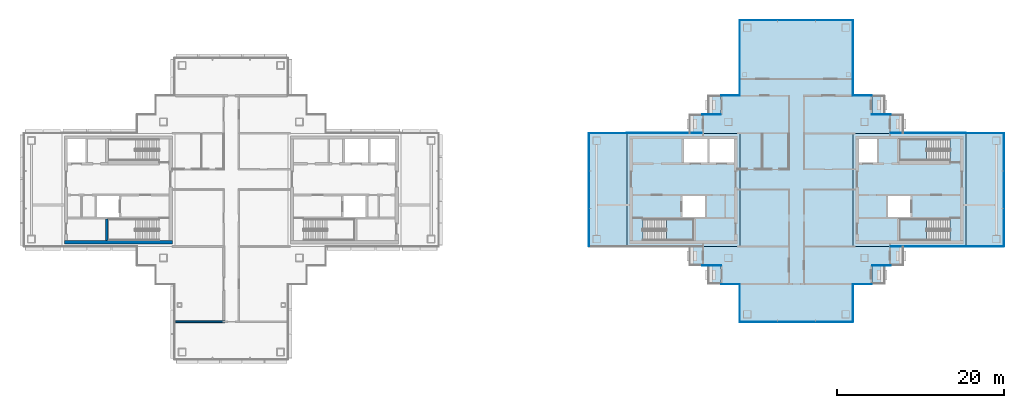
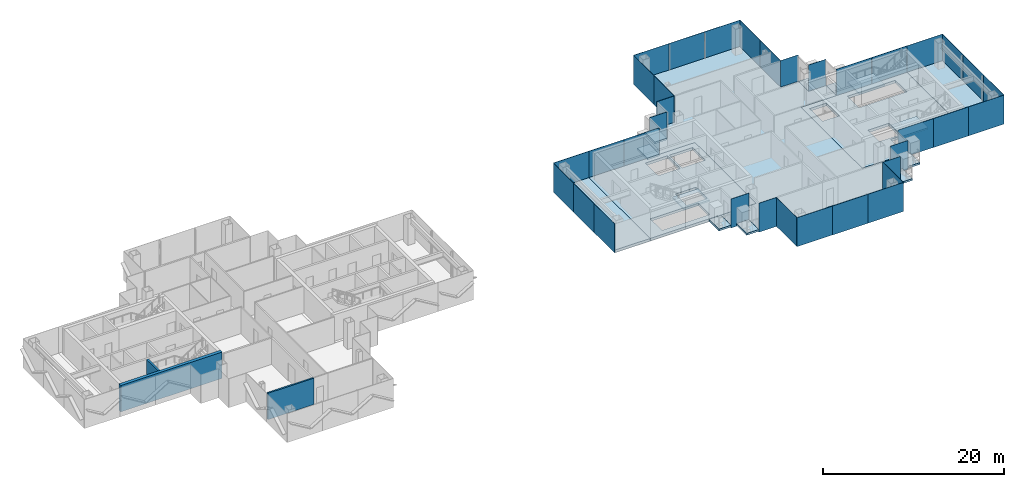
# One storey, part 8 of 17: 35 plates, 16 slabs, 3 walls, 21 elements without a shape of their own.
"""IFC4 building model written with IfcOpenShell, lengths in metres."""

from ifc_helpers import new_model, si_unit, direction, frame, frame_2d, origin, origin_2d, place, context, subcontext, project, spatial, polyline, rectangle, outline, extrude, material, layer, layer_set, type_object, element, aggregate, save


model = new_model("IFC4")

# Units and contexts
model_context = context("Model", 3, precision=1e-05, world=origin(), true_north=direction((0.0, 1.0)))
body_context = subcontext(model_context, "Body", "Model", "MODEL_VIEW")
ifc_project = project(units=[si_unit("LENGTHUNIT", "METRE"), si_unit("AREAUNIT", "SQUARE_METRE"), si_unit("VOLUMEUNIT", "CUBIC_METRE"), si_unit("PLANEANGLEUNIT", "RADIAN"), si_unit("MASSUNIT", "GRAM", prefix="KILO")], contexts=[model_context])

# Site, building, storey
site_placement = place(None, origin())
site = spatial("IfcSite", under=ifc_project, at=site_placement, CompositionType="ELEMENT")
building_placement = place(site_placement, origin())
building = spatial("IfcBuilding", under=site, at=building_placement, Name="Shamsa Quay Exchange Towers", CompositionType="ELEMENT")
storey_placement = place(building_placement, frame((0.0, 0.0, 234.300048828125)))
storey = spatial("IfcBuildingStorey", under=building, at=storey_placement, Name="L56", CompositionType="ELEMENT", Elevation=234.300048828125)

# Slabs
ifc_material_1 = material(Name="Precast concrete C40/50", Category="concrete")
ifc_layer_1 = layer(ifc_material_1, 0.25)
ifc_layer_set_1 = layer_set([ifc_layer_1], Name="BALCONY SLAB 250")
slab_type_1 = type_object("IfcSlabType", Name="BALCONY SLAB 250", PredefinedType="FLOOR", material=ifc_layer_set_1)
slab_1_placement = place(storey_placement, frame((0.0, 0.0, -0.25)))
element("IfcSlab", 1, at=slab_1_placement, inside=storey, type_object=slab_type_1, Name="Balcony T2-PKEN L56", PredefinedType="FLOOR", context=body_context, shape_type="SweptSolid", body=[
    extrude(outline(polyline([(24.75, 11.25), (24.75, 9.0380859375), (23.199951171875, 9.0380859375), (23.199951171875, 11.25), (24.75, 11.25)])), origin(), (0.0, 0.0, 1.0), 0.25),
])
slab_2_placement = place(storey_placement, frame((0.0, 0.0, -0.25)))
element("IfcSlab", 2, at=slab_2_placement, inside=storey, type_object=slab_type_1, Name="Balcony T2-PKEN L56", PredefinedType="FLOOR", context=body_context, shape_type="SweptSolid", body=[
    extrude(outline(polyline([(22.5, 9.0), (22.5, 6.7880859375), (20.949951171875, 6.7880859375), (20.949951171875, 9.0), (22.5, 9.0)])), origin(), (0.0, 0.0, 1.0), 0.25),
])
slab_3_placement = place(storey_placement, frame((0.0, 0.0, -0.25)))
element("IfcSlab", 3, at=slab_3_placement, inside=storey, type_object=slab_type_1, Name="Balcony T2-PKES L56", PredefinedType="FLOOR", context=body_context, shape_type="SweptSolid", body=[
    extrude(outline(polyline([(42.75, 9.0380859375), (42.75, 11.25), (44.300048828125, 11.25), (44.300048828125, 9.0380859375), (42.75, 9.0380859375)])), origin(), (0.0, 0.0, 1.0), 0.25),
])
slab_4_placement = place(storey_placement, frame((0.0, 0.0, -0.25)))
element("IfcSlab", 4, at=slab_4_placement, inside=storey, type_object=slab_type_1, Name="Balcony T2-PKES L56", PredefinedType="FLOOR", context=body_context, shape_type="SweptSolid", body=[
    extrude(outline(polyline([(45.0, 6.7880859375), (45.0, 9.0), (46.550048828125, 9.0), (46.550048828125, 6.7880859375), (45.0, 6.7880859375)])), origin(), (0.0, 0.0, 1.0), 0.25),
])
slab_5_placement = place(storey_placement, frame((0.0, 0.0, -0.25)))
element("IfcSlab", 5, at=slab_5_placement, inside=storey, type_object=slab_type_1, Name="Balcony T2-PKWN L56", PredefinedType="FLOOR", context=body_context, shape_type="SweptSolid", body=[
    extrude(outline(polyline([(22.5, -6.7880859375), (22.5, -9.0), (20.949951171875, -9.0), (20.949951171875, -6.7880859375), (22.5, -6.7880859375)])), origin(), (0.0, 0.0, 1.0), 0.25),
])
slab_6_placement = place(storey_placement, frame((0.0, 0.0, -0.25)))
element("IfcSlab", 6, at=slab_6_placement, inside=storey, type_object=slab_type_1, Name="Balcony T2-PKWN L56", PredefinedType="FLOOR", context=body_context, shape_type="SweptSolid", body=[
    extrude(outline(polyline([(24.75, -9.0380859375), (24.75, -11.25), (23.199951171875, -11.25), (23.199951171875, -9.0380859375), (24.75, -9.0380859375)])), origin(), (0.0, 0.0, 1.0), 0.25),
])
slab_7_placement = place(storey_placement, frame((0.0, 0.0, -0.25)))
element("IfcSlab", 7, at=slab_7_placement, inside=storey, type_object=slab_type_1, Name="Balcony T2-PKWS L56", PredefinedType="FLOOR", context=body_context, shape_type="SweptSolid", body=[
    extrude(outline(polyline([(42.75, -11.25), (42.75, -9.0380859375), (44.300048828125, -9.0380859375), (44.300048828125, -11.25), (42.75, -11.25)])), origin(), (0.0, 0.0, 1.0), 0.25),
])
slab_8_placement = place(storey_placement, frame((0.0, 0.0, -0.25)))
element("IfcSlab", 8, at=slab_8_placement, inside=storey, type_object=slab_type_1, Name="Balcony T2-PKWS L56", PredefinedType="FLOOR", context=body_context, shape_type="SweptSolid", body=[
    extrude(outline(polyline([(45.0, -9.0), (45.0, -6.7880859375), (46.550048828125, -6.7880859375), (46.550048828125, -9.0), (45.0, -9.0)])), origin(), (0.0, 0.0, 1.0), 0.25),
])
ifc_material_2 = material(Name="Concrete C50/60", Category="concrete")
ifc_layer_2 = layer(ifc_material_2, 0.35009765625)
ifc_layer_set_2 = layer_set([ifc_layer_2], Name="CORE FLOOR 350 C50/60")
slab_type_2 = type_object("IfcSlabType", Name="CORE FLOOR 350 C50/60", PredefinedType="FLOOR", material=ifc_layer_set_2)
slab_9_placement = place(storey_placement, frame((0.0, 0.0, -0.35009765625)))
element("IfcSlab", 9, at=slab_9_placement, inside=storey, type_object=slab_type_2, Name="Core floor T2A", PredefinedType="FLOOR", context=body_context, shape_type="SweptSolid", body=[
    extrude(outline(polyline([(13.5, -6.75), (27.0, -6.75), (27.0, 6.75), (13.5, 6.75), (13.5, -6.75)]), holes=[polyline([(15.400634765625, -6.050048828125), (15.400634765625, -3.5), (21.5, -3.5), (21.5, -6.050048828125), (15.400634765625, -6.050048828125)]), polyline([(20.300048828125, 3.25), (20.300048828125, 6.050048828125), (23.10009765625, 6.050048828125), (23.10009765625, 3.25), (20.300048828125, 3.25)]), polyline([(23.35009765625, 3.25), (23.35009765625, 6.050048828125), (26.300048828125, 6.050048828125), (26.300048828125, 3.25), (23.35009765625, 3.25)]), polyline([(20.14990234375, -3.25), (20.14990234375, -0.75), (22.800048828125, -0.75), (22.800048828125, -3.25), (20.14990234375, -3.25)])]), origin(), (0.0, 0.0, 1.0), 0.35009765625),
])
slab_10_placement = place(storey_placement, frame((0.0, 0.0, -0.35009765625)))
element("IfcSlab", 10, at=slab_10_placement, inside=storey, type_object=slab_type_2, Name="Core floor T2B", PredefinedType="FLOOR", context=body_context, shape_type="SweptSolid", body=[
    extrude(outline(polyline([(54.0, -6.75), (54.0, 6.75), (40.5, 6.75), (40.5, -6.75), (54.0, -6.75)]), holes=[polyline([(52.099365234375, -3.5), (52.099365234375, -6.050048828125), (46.0, -6.050048828125), (46.0, -3.5), (52.099365234375, -3.5)]), polyline([(52.099365234375, 6.050048828125), (52.099365234375, 3.5), (46.0, 3.5), (46.0, 6.050048828125), (52.099365234375, 6.050048828125)]), polyline([(43.35009765625, 3.25), (41.199951171875, 3.25), (41.199951171875, 6.050048828125), (43.35009765625, 6.050048828125), (43.35009765625, 3.25)]), polyline([(47.35009765625, -3.25), (44.699951171875, -3.25), (44.699951171875, -0.75), (47.35009765625, -0.75), (47.35009765625, -3.25)])]), origin(), (0.0, 0.0, 1.0), 0.35009765625),
])

# Stair, slab
ifc_material_3 = material(Name="Concrete C40/50", Category="concrete")
stair_type = type_object("IfcStairType", Name="EXIT STAIR 22 RISERS 177 MM", PredefinedType="HALF_TURN_STAIR", material=ifc_material_3)
stair_1_placement = place(storey_placement, origin())
stair_1 = element("IfcStair", 11, at=stair_1_placement, inside=storey, type_object=stair_type, Name="L56 Exit stair ST4", PredefinedType="HALF_TURN_STAIR")
ifc_layer_3 = layer(ifc_material_3, 0.199951171875)
ifc_layer_set_3 = layer_set([ifc_layer_3], Name="CORE STAIR LANDING")
slab_type_3 = type_object("IfcSlabType", Name="CORE STAIR LANDING", PredefinedType="LANDING", material=ifc_layer_set_3)
slab_11_placement = place(storey_placement, frame((0.0, 0.0, 1.75)))
slab_11 = element("IfcSlab", 12, at=slab_11_placement, type_object=slab_type_3, Name="ST4 landing 1", PredefinedType="LANDING", context=body_context, shape_type="SweptSolid", body=[
    extrude(outline(polyline([(18.199951171875, -6.050048828125), (21.5, -6.050048828125), (21.5, -3.5), (18.199951171875, -3.5), (18.199951171875, -6.050048828125)])), origin(), (0.0, 0.0, 1.0), 0.199951171875),
])
aggregate(stair_1, [slab_11])

stair_2_placement = place(storey_placement, origin())
stair_2 = element("IfcStair", 13, at=stair_2_placement, inside=storey, type_object=stair_type, Name="L56 Exit stair ST5", PredefinedType="HALF_TURN_STAIR")
slab_12_placement = place(storey_placement, frame((0.0, 0.0, 1.75)))
slab_12 = element("IfcSlab", 14, at=slab_12_placement, type_object=slab_type_3, Name="ST5 landing 1", PredefinedType="LANDING", context=body_context, shape_type="SweptSolid", body=[
    extrude(outline(polyline([(49.300048828125, -3.5), (46.0, -3.5), (46.0, -6.050048828125), (49.300048828125, -6.050048828125), (49.300048828125, -3.5)])), origin(), (0.0, 0.0, 1.0), 0.199951171875),
])
aggregate(stair_2, [slab_12])

stair_3_placement = place(storey_placement, origin())
stair_3 = element("IfcStair", 15, at=stair_3_placement, inside=storey, type_object=stair_type, Name="L56 Exit stair ST6", PredefinedType="HALF_TURN_STAIR")
slab_13_placement = place(storey_placement, frame((0.0, 0.0, 1.75)))
slab_13 = element("IfcSlab", 16, at=slab_13_placement, type_object=slab_type_3, Name="ST6 landing 1", PredefinedType="LANDING", context=body_context, shape_type="SweptSolid", body=[
    extrude(outline(polyline([(49.300048828125, 6.050048828125), (46.0, 6.050048828125), (46.0, 3.5), (49.300048828125, 3.5), (49.300048828125, 6.050048828125)])), origin(), (0.0, 0.0, 1.0), 0.199951171875),
])
aggregate(stair_3, [slab_13])

# Curtain wall, plate
ifc_material_4 = material(Name="Aluminium EN AW-6063 T6, black anodised", Category="aluminium")
ifc_layer_4 = layer(ifc_material_4, 0.280029296875)
ifc_layer_set_4 = layer_set([ifc_layer_4], Name="CW-1 UNITISED VISION GLASS")
curtain_wall_type_1 = type_object("IfcCurtainWallType", Name="CW-1 UNITISED VISION GLASS", PredefinedType="NOTDEFINED", material=ifc_layer_set_4)
curtain_wall_1_placement = place(storey_placement, origin())
curtain_wall_1 = element("IfcCurtainWall", 17, at=curtain_wall_1_placement, inside=storey, type_object=curtain_wall_type_1, Name="CW1 T2-FLK-V-W L56", PredefinedType="NOTDEFINED")
ifc_material_5 = material(Name="Glass, laminated, dark tinted", Category="glass")
ifc_layer_5 = layer(ifc_material_5, 0.0400390625)
ifc_layer_set_5 = layer_set([ifc_layer_5], Name="CW-1 VISION GLASS 40")
plate_type_1 = type_object("IfcPlateType", Name="CW-1 VISION GLASS 40", PredefinedType="CURTAIN_PANEL", material=ifc_layer_set_5)
plate_1_placement = place(storey_placement, frame((56.25, -6.77001953125, -0.35009765625)))
plate_1 = element("IfcPlate", 18, at=plate_1_placement, type_object=plate_type_1, Name="CW1 glass panel", PredefinedType="CURTAIN_PANEL", context=body_context, shape_type="SweptSolid", body=[
    extrude(rectangle(XDim=4.5, YDim=0.0400390625, at=origin_2d()), origin(), (0.0, 0.0, 1.0), 3.89990234375),
])
aggregate(curtain_wall_1, [plate_1])

# Curtain wall, plates
curtain_wall_2_placement = place(storey_placement, origin())
curtain_wall_2 = element("IfcCurtainWall", 19, at=curtain_wall_2_placement, inside=storey, type_object=curtain_wall_type_1, Name="CW1 T2-END-V- L56", PredefinedType="NOTDEFINED")
plate_2_placement = place(storey_placement, frame((58.52001953125, -4.50244140625, -0.35009765625), z_axis=(0.0, 0.0, 1.0), x_axis=(0.0, 1.0, 0.0)))
plate_2 = element("IfcPlate", 20, at=plate_2_placement, type_object=plate_type_1, Name="CW1 glass panel", PredefinedType="CURTAIN_PANEL", context=body_context, shape_type="SweptSolid", body=[
    extrude(rectangle(XDim=4.4951171875, YDim=0.0400390625, at=origin_2d()), origin(), (0.0, 0.0, 1.0), 3.89990234375),
])
plate_3_placement = place(storey_placement, frame((58.52001953125, 0.0, -0.35009765625), z_axis=(0.0, 0.0, 1.0), x_axis=(0.0, 1.0, 0.0)))
plate_3 = element("IfcPlate", 21, at=plate_3_placement, type_object=plate_type_1, Name="CW1 glass panel", PredefinedType="CURTAIN_PANEL", context=body_context, shape_type="SweptSolid", body=[
    extrude(rectangle(XDim=4.489990234375, YDim=0.0400390625, at=origin_2d()), origin(), (0.0, 0.0, 1.0), 3.89990234375),
])
plate_4_placement = place(storey_placement, frame((58.52001953125, 4.50244140625, -0.35009765625), z_axis=(0.0, 0.0, 1.0), x_axis=(0.0, 1.0, 0.0)))
plate_4 = element("IfcPlate", 22, at=plate_4_placement, type_object=plate_type_1, Name="CW1 glass panel", PredefinedType="CURTAIN_PANEL", context=body_context, shape_type="SweptSolid", body=[
    extrude(rectangle(XDim=4.4951171875, YDim=0.0400390625, at=origin_2d()), origin(), (0.0, 0.0, 1.0), 3.89990234375),
])
aggregate(curtain_wall_2, [plate_2, plate_3, plate_4])

# Curtain wall, plate
curtain_wall_3_placement = place(storey_placement, origin())
curtain_wall_3 = element("IfcCurtainWall", 23, at=curtain_wall_3_placement, inside=storey, type_object=curtain_wall_type_1, Name="CW1 T2-FLK-V-E L56", PredefinedType="NOTDEFINED")
plate_5_placement = place(storey_placement, frame((56.25, 6.77001953125, -0.35009765625), z_axis=(0.0, 0.0, 1.0), x_axis=(-1.0, 0.0, 0.0)))
plate_5 = element("IfcPlate", 24, at=plate_5_placement, type_object=plate_type_1, Name="CW1 glass panel", PredefinedType="CURTAIN_PANEL", context=body_context, shape_type="SweptSolid", body=[
    extrude(rectangle(XDim=4.5, YDim=0.0400390625, at=origin_2d()), origin(), (0.0, 0.0, 1.0), 3.89990234375),
])
aggregate(curtain_wall_3, [plate_5])

# Curtain wall, plates
curtain_wall_4_placement = place(storey_placement, origin())
curtain_wall_4 = element("IfcCurtainWall", 25, at=curtain_wall_4_placement, inside=storey, type_object=curtain_wall_type_1, Name="CW1 T2-FLK-U+S L56", PredefinedType="NOTDEFINED")
plate_6_placement = place(storey_placement, frame((40.52001953125, 13.52587890625, -0.35009765625), z_axis=(0.0, 0.0, 1.0), x_axis=(0.0, 1.0, 0.0)))
plate_6 = element("IfcPlate", 26, at=plate_6_placement, type_object=plate_type_1, Name="CW1 glass panel", PredefinedType="CURTAIN_PANEL", context=body_context, shape_type="SweptSolid", body=[
    extrude(rectangle(XDim=4.47607421875, YDim=0.0400390625, at=origin_2d()), origin(), (0.0, 0.0, 1.0), 3.89990234375),
])
plate_7_placement = place(storey_placement, frame((40.52001953125, 18.011962890625, -0.35009765625), z_axis=(0.0, 0.0, 1.0), x_axis=(0.0, 1.0, 0.0)))
plate_7 = element("IfcPlate", 27, at=plate_7_placement, type_object=plate_type_1, Name="CW1 glass panel", PredefinedType="CURTAIN_PANEL", context=body_context, shape_type="SweptSolid", body=[
    extrude(rectangle(XDim=4.47607421875, YDim=0.0400390625, at=origin_2d()), origin(), (0.0, 0.0, 1.0), 3.89990234375),
])
aggregate(curtain_wall_4, [plate_6, plate_7])

curtain_wall_5_placement = place(storey_placement, origin())
curtain_wall_5 = element("IfcCurtainWall", 28, at=curtain_wall_5_placement, inside=storey, type_object=curtain_wall_type_1, Name="CW1 T2-END-U+ L56", PredefinedType="NOTDEFINED")
plate_8_placement = place(storey_placement, frame((38.25244140625, 20.27001953125, -0.35009765625), z_axis=(0.0, 0.0, 1.0), x_axis=(-1.0, 0.0, 0.0)))
plate_8 = element("IfcPlate", 29, at=plate_8_placement, type_object=plate_type_1, Name="CW1 glass panel", PredefinedType="CURTAIN_PANEL", context=body_context, shape_type="SweptSolid", body=[
    extrude(rectangle(XDim=4.4951171875, YDim=0.0400390625, at=origin_2d()), origin(), (0.0, 0.0, 1.0), 3.89990234375),
])
plate_9_placement = place(storey_placement, frame((33.75, 20.27001953125, -0.35009765625), z_axis=(0.0, 0.0, 1.0), x_axis=(-1.0, 0.0, 0.0)))
plate_9 = element("IfcPlate", 30, at=plate_9_placement, type_object=plate_type_1, Name="CW1 glass panel", PredefinedType="CURTAIN_PANEL", context=body_context, shape_type="SweptSolid", body=[
    extrude(rectangle(XDim=4.489990234375, YDim=0.0400390625, at=origin_2d()), origin(), (0.0, 0.0, 1.0), 3.89990234375),
])
plate_10_placement = place(storey_placement, frame((29.24755859375, 20.27001953125, -0.35009765625), z_axis=(0.0, 0.0, 1.0), x_axis=(-1.0, 0.0, 0.0)))
plate_10 = element("IfcPlate", 31, at=plate_10_placement, type_object=plate_type_1, Name="CW1 glass panel", PredefinedType="CURTAIN_PANEL", context=body_context, shape_type="SweptSolid", body=[
    extrude(rectangle(XDim=4.4951171875, YDim=0.0400390625, at=origin_2d()), origin(), (0.0, 0.0, 1.0), 3.89990234375),
])
aggregate(curtain_wall_5, [plate_8, plate_9, plate_10])

curtain_wall_6_placement = place(storey_placement, origin())
curtain_wall_6 = element("IfcCurtainWall", 32, at=curtain_wall_6_placement, inside=storey, type_object=curtain_wall_type_1, Name="CW1 T2-FLK-U+N L56", PredefinedType="NOTDEFINED")
plate_11_placement = place(storey_placement, frame((26.97998046875, 18.00244140625, -0.35009765625), z_axis=(0.0, 0.0, 1.0), x_axis=(0.0, -1.0, 0.0)))
plate_11 = element("IfcPlate", 33, at=plate_11_placement, type_object=plate_type_1, Name="CW1 glass panel", PredefinedType="CURTAIN_PANEL", context=body_context, shape_type="SweptSolid", body=[
    extrude(rectangle(XDim=4.4951171875, YDim=0.0400390625, at=origin_2d()), origin(), (0.0, 0.0, 1.0), 3.89990234375),
])
plate_12_placement = place(storey_placement, frame((26.97998046875, 13.49755859375, -0.35009765625), z_axis=(0.0, 0.0, 1.0), x_axis=(0.0, -1.0, 0.0)))
plate_12 = element("IfcPlate", 34, at=plate_12_placement, type_object=plate_type_1, Name="CW1 glass panel", PredefinedType="CURTAIN_PANEL", context=body_context, shape_type="SweptSolid", body=[
    extrude(rectangle(XDim=4.4951171875, YDim=0.0400390625, at=origin_2d()), origin(), (0.0, 0.0, 1.0), 3.89990234375),
])
aggregate(curtain_wall_6, [plate_11, plate_12])

# Curtain wall, plate
curtain_wall_7_placement = place(storey_placement, origin())
curtain_wall_7 = element("IfcCurtainWall", 35, at=curtain_wall_7_placement, inside=storey, type_object=curtain_wall_type_1, Name="CW1 T2-FLK-V+E L56", PredefinedType="NOTDEFINED")
plate_13_placement = place(storey_placement, frame((11.25, 6.77001953125, -0.35009765625), z_axis=(0.0, 0.0, 1.0), x_axis=(-1.0, 0.0, 0.0)))
plate_13 = element("IfcPlate", 36, at=plate_13_placement, type_object=plate_type_1, Name="CW1 glass panel", PredefinedType="CURTAIN_PANEL", context=body_context, shape_type="SweptSolid", body=[
    extrude(rectangle(XDim=4.5, YDim=0.0400390625, at=origin_2d()), origin(), (0.0, 0.0, 1.0), 3.89990234375),
])
aggregate(curtain_wall_7, [plate_13])

# Curtain wall, plates
curtain_wall_8_placement = place(storey_placement, origin())
curtain_wall_8 = element("IfcCurtainWall", 37, at=curtain_wall_8_placement, inside=storey, type_object=curtain_wall_type_1, Name="CW1 T2-END-V+ L56", PredefinedType="NOTDEFINED")
plate_14_placement = place(storey_placement, frame((8.97998046875, 4.50244140625, -0.35009765625), z_axis=(0.0, 0.0, 1.0), x_axis=(0.0, -1.0, 0.0)))
plate_14 = element("IfcPlate", 38, at=plate_14_placement, type_object=plate_type_1, Name="CW1 glass panel", PredefinedType="CURTAIN_PANEL", context=body_context, shape_type="SweptSolid", body=[
    extrude(rectangle(XDim=4.4951171875, YDim=0.0400390625, at=origin_2d()), origin(), (0.0, 0.0, 1.0), 3.89990234375),
])
plate_15_placement = place(storey_placement, frame((8.97998046875, 0.0, -0.35009765625), z_axis=(0.0, 0.0, 1.0), x_axis=(0.0, -1.0, 0.0)))
plate_15 = element("IfcPlate", 39, at=plate_15_placement, type_object=plate_type_1, Name="CW1 glass panel", PredefinedType="CURTAIN_PANEL", context=body_context, shape_type="SweptSolid", body=[
    extrude(rectangle(XDim=4.489990234375, YDim=0.0400390625, at=origin_2d()), origin(), (0.0, 0.0, 1.0), 3.89990234375),
])
plate_16_placement = place(storey_placement, frame((8.97998046875, -4.50244140625, -0.35009765625), z_axis=(0.0, 0.0, 1.0), x_axis=(0.0, -1.0, 0.0)))
plate_16 = element("IfcPlate", 40, at=plate_16_placement, type_object=plate_type_1, Name="CW1 glass panel", PredefinedType="CURTAIN_PANEL", context=body_context, shape_type="SweptSolid", body=[
    extrude(rectangle(XDim=4.4951171875, YDim=0.0400390625, at=origin_2d()), origin(), (0.0, 0.0, 1.0), 3.89990234375),
])
aggregate(curtain_wall_8, [plate_14, plate_15, plate_16])

# Curtain wall, plate
curtain_wall_9_placement = place(storey_placement, origin())
curtain_wall_9 = element("IfcCurtainWall", 41, at=curtain_wall_9_placement, inside=storey, type_object=curtain_wall_type_1, Name="CW1 T2-FLK-U-N L56", PredefinedType="NOTDEFINED")
plate_17_placement = place(storey_placement, frame((26.97998046875, -13.51904296875, -0.35009765625), z_axis=(0.0, 0.0, 1.0), x_axis=(0.0, -1.0, 0.0)))
plate_17 = element("IfcPlate", 42, at=plate_17_placement, type_object=plate_type_1, Name="CW1 glass panel", PredefinedType="CURTAIN_PANEL", context=body_context, shape_type="SweptSolid", body=[
    extrude(rectangle(XDim=4.4619140625, YDim=0.0400390625, at=origin_2d()), origin(), (0.0, 0.0, 1.0), 3.89990234375),
])
aggregate(curtain_wall_9, [plate_17])

# Curtain wall, plates
curtain_wall_10_placement = place(storey_placement, origin())
curtain_wall_10 = element("IfcCurtainWall", 43, at=curtain_wall_10_placement, inside=storey, type_object=curtain_wall_type_1, Name="CW1 T2-END-U- L56", PredefinedType="NOTDEFINED")
plate_18_placement = place(storey_placement, frame((29.24755859375, -15.77001953125, -0.35009765625)))
plate_18 = element("IfcPlate", 44, at=plate_18_placement, type_object=plate_type_1, Name="CW1 glass panel", PredefinedType="CURTAIN_PANEL", context=body_context, shape_type="SweptSolid", body=[
    extrude(rectangle(XDim=4.4951171875, YDim=0.0400390625, at=origin_2d()), origin(), (0.0, 0.0, 1.0), 3.89990234375),
])
plate_19_placement = place(storey_placement, frame((33.75, -15.77001953125, -0.35009765625)))
plate_19 = element("IfcPlate", 45, at=plate_19_placement, type_object=plate_type_1, Name="CW1 glass panel", PredefinedType="CURTAIN_PANEL", context=body_context, shape_type="SweptSolid", body=[
    extrude(rectangle(XDim=4.489990234375, YDim=0.0400390625, at=origin_2d()), origin(), (0.0, 0.0, 1.0), 3.89990234375),
])
plate_20_placement = place(storey_placement, frame((38.25244140625, -15.77001953125, -0.35009765625)))
plate_20 = element("IfcPlate", 46, at=plate_20_placement, type_object=plate_type_1, Name="CW1 glass panel", PredefinedType="CURTAIN_PANEL", context=body_context, shape_type="SweptSolid", body=[
    extrude(rectangle(XDim=4.4951171875, YDim=0.0400390625, at=origin_2d()), origin(), (0.0, 0.0, 1.0), 3.89990234375),
])
aggregate(curtain_wall_10, [plate_18, plate_19, plate_20])

# Curtain wall, plate
curtain_wall_11_placement = place(storey_placement, origin())
curtain_wall_11 = element("IfcCurtainWall", 47, at=curtain_wall_11_placement, inside=storey, type_object=curtain_wall_type_1, Name="CW1 T2-FLK-U-S L56", PredefinedType="NOTDEFINED")
plate_21_placement = place(storey_placement, frame((40.52001953125, -13.5, -0.35009765625), z_axis=(0.0, 0.0, 1.0), x_axis=(0.0, 1.0, 0.0)))
plate_21 = element("IfcPlate", 48, at=plate_21_placement, type_object=plate_type_1, Name="CW1 glass panel", PredefinedType="CURTAIN_PANEL", context=body_context, shape_type="SweptSolid", body=[
    extrude(rectangle(XDim=4.5, YDim=0.0400390625, at=origin_2d()), origin(), (0.0, 0.0, 1.0), 3.89990234375),
])
aggregate(curtain_wall_11, [plate_21])

# Curtain wall, plates
ifc_layer_6 = layer(ifc_material_4, 0.303955078125)
ifc_layer_set_6 = layer_set([ifc_layer_6], Name="CW-2 UNITISED OPAQUE SPANDREL GLASS")
curtain_wall_type_2 = type_object("IfcCurtainWallType", Name="CW-2 UNITISED OPAQUE SPANDREL GLASS", PredefinedType="NOTDEFINED", material=ifc_layer_set_6)
curtain_wall_12_placement = place(storey_placement, origin())
curtain_wall_12 = element("IfcCurtainWall", 49, at=curtain_wall_12_placement, inside=storey, type_object=curtain_wall_type_2, Name="CW2 T2-FLK-V-W L56", PredefinedType="NOTDEFINED")
ifc_material_6 = material(Name="Glass, laminated, black enamelled opaque", Category="glass")
ifc_layer_7 = layer(ifc_material_6, 0.0439453125)
ifc_layer_set_7 = layer_set([ifc_layer_7], Name="CW-2 SPANDREL GLASS 44")
plate_type_2 = type_object("IfcPlateType", Name="CW-2 SPANDREL GLASS 44", PredefinedType="CURTAIN_PANEL", material=ifc_layer_set_7)
plate_22_placement = place(storey_placement, frame((47.27587890625, -6.77197265625, -0.35009765625)))
plate_22 = element("IfcPlate", 50, at=plate_22_placement, type_object=plate_type_2, Name="CW2 glass panel", PredefinedType="CURTAIN_PANEL", context=body_context, shape_type="SweptSolid", body=[
    extrude(rectangle(XDim=4.47607421875, YDim=0.0439453125, at=origin_2d()), origin(), (0.0, 0.0, 1.0), 3.89990234375),
])
plate_23_placement = place(storey_placement, frame((51.761962890625, -6.77197265625, -0.35009765625)))
plate_23 = element("IfcPlate", 51, at=plate_23_placement, type_object=plate_type_2, Name="CW2 glass panel", PredefinedType="CURTAIN_PANEL", context=body_context, shape_type="SweptSolid", body=[
    extrude(rectangle(XDim=4.47607421875, YDim=0.0439453125, at=origin_2d()), origin(), (0.0, 0.0, 1.0), 3.89990234375),
])
aggregate(curtain_wall_12, [plate_22, plate_23])

curtain_wall_13_placement = place(storey_placement, origin())
curtain_wall_13 = element("IfcCurtainWall", 52, at=curtain_wall_13_placement, inside=storey, type_object=curtain_wall_type_2, Name="CW2 T2-FLK-V-E L56", PredefinedType="NOTDEFINED")
plate_24_placement = place(storey_placement, frame((51.75244140625, 6.77197265625, -0.35009765625), z_axis=(0.0, 0.0, 1.0), x_axis=(-1.0, 0.0, 0.0)))
plate_24 = element("IfcPlate", 53, at=plate_24_placement, type_object=plate_type_2, Name="CW2 glass panel", PredefinedType="CURTAIN_PANEL", context=body_context, shape_type="SweptSolid", body=[
    extrude(rectangle(XDim=4.4951171875, YDim=0.0439453125, at=origin_2d()), origin(), (0.0, 0.0, 1.0), 3.89990234375),
])
plate_25_placement = place(storey_placement, frame((47.24755859375, 6.77197265625, -0.35009765625), z_axis=(0.0, 0.0, 1.0), x_axis=(-1.0, 0.0, 0.0)))
plate_25 = element("IfcPlate", 54, at=plate_25_placement, type_object=plate_type_2, Name="CW2 glass panel", PredefinedType="CURTAIN_PANEL", context=body_context, shape_type="SweptSolid", body=[
    extrude(rectangle(XDim=4.4951171875, YDim=0.0439453125, at=origin_2d()), origin(), (0.0, 0.0, 1.0), 3.89990234375),
])
aggregate(curtain_wall_13, [plate_24, plate_25])

curtain_wall_14_placement = place(storey_placement, origin())
curtain_wall_14 = element("IfcCurtainWall", 55, at=curtain_wall_14_placement, inside=storey, type_object=curtain_wall_type_2, Name="CW2 T2-FLK-V+E L56", PredefinedType="NOTDEFINED")
plate_26_placement = place(storey_placement, frame((20.22412109375, 6.77197265625, -0.35009765625), z_axis=(0.0, 0.0, 1.0), x_axis=(-1.0, 0.0, 0.0)))
plate_26 = element("IfcPlate", 56, at=plate_26_placement, type_object=plate_type_2, Name="CW2 glass panel", PredefinedType="CURTAIN_PANEL", context=body_context, shape_type="SweptSolid", body=[
    extrude(rectangle(XDim=4.47607421875, YDim=0.0439453125, at=origin_2d()), origin(), (0.0, 0.0, 1.0), 3.89990234375),
])
plate_27_placement = place(storey_placement, frame((15.738037109375, 6.77197265625, -0.35009765625), z_axis=(0.0, 0.0, 1.0), x_axis=(-1.0, 0.0, 0.0)))
plate_27 = element("IfcPlate", 57, at=plate_27_placement, type_object=plate_type_2, Name="CW2 glass panel", PredefinedType="CURTAIN_PANEL", context=body_context, shape_type="SweptSolid", body=[
    extrude(rectangle(XDim=4.47607421875, YDim=0.0439453125, at=origin_2d()), origin(), (0.0, 0.0, 1.0), 3.89990234375),
])
aggregate(curtain_wall_14, [plate_26, plate_27])

ifc_layer_8 = layer(ifc_material_4, 0.256103515625)
ifc_layer_set_8 = layer_set([ifc_layer_8], Name="CW-4 POCKET SERRATED GLAZING")
curtain_wall_type_3 = type_object("IfcCurtainWallType", Name="CW-4 POCKET SERRATED GLAZING", PredefinedType="NOTDEFINED", material=ifc_layer_set_8)
curtain_wall_15_placement = place(storey_placement, origin())
curtain_wall_15 = element("IfcCurtainWall", 58, at=curtain_wall_15_placement, inside=storey, type_object=curtain_wall_type_3, Name="CW4 PKWS L56", PredefinedType="NOTDEFINED")
ifc_layer_9 = layer(ifc_material_5, 0.035888671875)
ifc_layer_set_9 = layer_set([ifc_layer_9], Name="CW-4 POCKET GLASS 36")
plate_type_3 = type_object("IfcPlateType", Name="CW-4 POCKET GLASS 36", PredefinedType="CURTAIN_PANEL", material=ifc_layer_set_9)
plate_28_placement = place(storey_placement, frame((43.89404296875, -9.01806640625, -0.35009765625)))
plate_28 = element("IfcPlate", 59, at=plate_28_placement, type_object=plate_type_3, Name="CW4 glass panel", PredefinedType="CURTAIN_PANEL", context=body_context, shape_type="SweptSolid", body=[
    extrude(rectangle(XDim=2.2119140625, YDim=0.035888671875, at=origin_2d()), origin(), (0.0, 0.0, 1.0), 3.89990234375),
])
plate_29_placement = place(storey_placement, frame((41.64599609375, -11.26806640625, -0.35009765625)))
plate_29 = element("IfcPlate", 60, at=plate_29_placement, type_object=plate_type_3, Name="CW4 glass panel", PredefinedType="CURTAIN_PANEL", context=body_context, shape_type="SweptSolid", body=[
    extrude(rectangle(XDim=2.2080078125, YDim=0.035888671875, at=origin_2d()), origin(), (0.0, 0.0, 1.0), 3.89990234375),
])
aggregate(curtain_wall_15, [plate_28, plate_29])

curtain_wall_16_placement = place(storey_placement, origin())
curtain_wall_16 = element("IfcCurtainWall", 61, at=curtain_wall_16_placement, inside=storey, type_object=curtain_wall_type_3, Name="CW4 PKES L56", PredefinedType="NOTDEFINED")
plate_30_placement = place(storey_placement, frame((43.875, 9.01806640625, -0.35009765625), z_axis=(0.0, 0.0, 1.0), x_axis=(-1.0, 0.0, 0.0)))
plate_30 = element("IfcPlate", 62, at=plate_30_placement, type_object=plate_type_3, Name="CW4 glass panel", PredefinedType="CURTAIN_PANEL", context=body_context, shape_type="SweptSolid", body=[
    extrude(rectangle(XDim=2.25, YDim=0.035888671875, at=origin_2d()), origin(), (0.0, 0.0, 1.0), 3.89990234375),
])
plate_31_placement = place(storey_placement, frame((41.625, 11.26806640625, -0.35009765625), z_axis=(0.0, 0.0, 1.0), x_axis=(-1.0, 0.0, 0.0)))
plate_31 = element("IfcPlate", 63, at=plate_31_placement, type_object=plate_type_3, Name="CW4 glass panel", PredefinedType="CURTAIN_PANEL", context=body_context, shape_type="SweptSolid", body=[
    extrude(rectangle(XDim=2.25, YDim=0.035888671875, at=origin_2d()), origin(), (0.0, 0.0, 1.0), 3.89990234375),
])
aggregate(curtain_wall_16, [plate_30, plate_31])

curtain_wall_17_placement = place(storey_placement, origin())
curtain_wall_17 = element("IfcCurtainWall", 64, at=curtain_wall_17_placement, inside=storey, type_object=curtain_wall_type_3, Name="CW4 PKEN L56", PredefinedType="NOTDEFINED")
plate_32_placement = place(storey_placement, frame((25.85400390625, 11.26806640625, -0.35009765625), z_axis=(0.0, 0.0, 1.0), x_axis=(-1.0, 0.0, 0.0)))
plate_32 = element("IfcPlate", 65, at=plate_32_placement, type_object=plate_type_3, Name="CW4 glass panel", PredefinedType="CURTAIN_PANEL", context=body_context, shape_type="SweptSolid", body=[
    extrude(rectangle(XDim=2.2080078125, YDim=0.035888671875, at=origin_2d()), origin(), (0.0, 0.0, 1.0), 3.89990234375),
])
plate_33_placement = place(storey_placement, frame((23.60595703125, 9.01806640625, -0.35009765625), z_axis=(0.0, 0.0, 1.0), x_axis=(-1.0, 0.0, 0.0)))
plate_33 = element("IfcPlate", 66, at=plate_33_placement, type_object=plate_type_3, Name="CW4 glass panel", PredefinedType="CURTAIN_PANEL", context=body_context, shape_type="SweptSolid", body=[
    extrude(rectangle(XDim=2.2119140625, YDim=0.035888671875, at=origin_2d()), origin(), (0.0, 0.0, 1.0), 3.89990234375),
])
aggregate(curtain_wall_17, [plate_32, plate_33])

curtain_wall_18_placement = place(storey_placement, origin())
curtain_wall_18 = element("IfcCurtainWall", 67, at=curtain_wall_18_placement, inside=storey, type_object=curtain_wall_type_3, Name="CW4 PKWN L56", PredefinedType="NOTDEFINED")
plate_34_placement = place(storey_placement, frame((23.625, -9.01806640625, -0.35009765625)))
plate_34 = element("IfcPlate", 68, at=plate_34_placement, type_object=plate_type_3, Name="CW4 glass panel", PredefinedType="CURTAIN_PANEL", context=body_context, shape_type="SweptSolid", body=[
    extrude(rectangle(XDim=2.25, YDim=0.035888671875, at=origin_2d()), origin(), (0.0, 0.0, 1.0), 3.89990234375),
])
plate_35_placement = place(storey_placement, frame((25.875, -11.26806640625, -0.35009765625)))
plate_35 = element("IfcPlate", 69, at=plate_35_placement, type_object=plate_type_3, Name="CW4 glass panel", PredefinedType="CURTAIN_PANEL", context=body_context, shape_type="SweptSolid", body=[
    extrude(rectangle(XDim=2.25, YDim=0.035888671875, at=origin_2d()), origin(), (0.0, 0.0, 1.0), 3.89990234375),
])
aggregate(curtain_wall_18, [plate_34, plate_35])

# Slabs
ifc_layer_10 = layer(ifc_material_3, 0.35009765625)
ifc_layer_set_10 = layer_set([ifc_layer_10], Name="Flat slab 350")
slab_type_4 = type_object("IfcSlabType", Name="Flat slab 350", PredefinedType="FLOOR", material=ifc_layer_set_10)
slab_14_placement = place(storey_placement, frame((0.0, 0.0, -0.35009765625)))
element("IfcSlab", 70, at=slab_14_placement, inside=storey, type_object=slab_type_4, Name="Flat slab T2 L56 4", PredefinedType="FLOOR", context=body_context, shape_type="SweptSolid", body=[
    extrude(outline(polyline([(9.0, -6.75), (13.5, -6.75), (13.5, 6.75), (9.0, 6.75), (9.0, -6.75)])), origin(), (0.0, 0.0, 1.0), 0.35009765625),
])
slab_15_placement = place(storey_placement, frame((0.0, 0.0, -0.35009765625)))
element("IfcSlab", 71, at=slab_15_placement, inside=storey, type_object=slab_type_4, Name="Flat slab T2 L56 5", PredefinedType="FLOOR", context=body_context, shape_type="SweptSolid", body=[
    extrude(outline(polyline([(45.0, -9.0), (45.0, -6.75), (40.5, -6.75), (40.5, 6.75), (45.0, 6.75), (45.0, 9.0), (42.75, 9.0), (42.75, 11.25), (40.5, 11.25), (40.5, 20.25), (27.0, 20.25), (27.0, 11.25), (24.75, 11.25), (24.75, 9.0), (22.5, 9.0), (22.5, 6.75), (27.0, 6.75), (27.0, -6.75), (22.5, -6.75), (22.5, -9.0), (24.75, -9.0), (24.75, -11.25), (27.0, -11.25), (27.0, -15.75), (40.5, -15.75), (40.5, -11.25), (42.75, -11.25), (42.75, -9.0), (45.0, -9.0)])), origin(), (0.0, 0.0, 1.0), 0.35009765625),
])
slab_16_placement = place(storey_placement, frame((0.0, 0.0, -0.35009765625)))
element("IfcSlab", 72, at=slab_16_placement, inside=storey, type_object=slab_type_4, Name="Flat slab T2 L56 6", PredefinedType="FLOOR", context=body_context, shape_type="SweptSolid", body=[
    extrude(outline(polyline([(58.5, 6.75), (54.0, 6.75), (54.0, -6.75), (58.5, -6.75), (58.5, 6.75)])), origin(), (0.0, 0.0, 1.0), 0.35009765625),
])

# Walls
ifc_material_7 = material(Name="Double-leaf gypsum board partition with acoustic insulation")
ifc_layer_11 = layer(ifc_material_7, 0.199951171875)
ifc_layer_set_11 = layer_set([ifc_layer_11], Name="Acoustic partition 200 mm EI 60")
wall_type_1 = type_object("IfcWallType", Name="Acoustic partition 200 mm EI 60", PredefinedType="PARTITIONING", material=ifc_layer_set_11)
wall_1_placement = place(storey_placement, frame((-40.405029296875, -15.75, 0.0)))
element("IfcWall", 73, at=wall_1_placement, inside=storey, type_object=wall_type_1, Name="Partition T1-R25-W21", PredefinedType="PARTITIONING", context=body_context, shape_type="SweptSolid", body=[
    extrude(rectangle(XDim=5.854736328125, YDim=0.199951171875, at=frame_2d((2.92724609375, 0.0))), origin(), (0.0, 0.0, 1.0), 3.550048828125),
])
ifc_material_8 = material(Name="Concrete C60/75", Category="concrete")
ifc_layer_12 = layer(ifc_material_8, 0.39990234375)
ifc_layer_set_12 = layer_set([ifc_layer_12], Name="CORE WALL 400 C60/75")
wall_type_2 = type_object("IfcWallType", Name="CORE WALL 400 C60/75", PredefinedType="SHEAR", material=ifc_layer_set_12)
wall_2_placement = place(storey_placement, frame((-40.800048828125, -6.25, 0.0), z_axis=(0.0, 0.0, 1.0), x_axis=(-1.0, 0.0, 0.0)))
element("IfcWall", 74, at=wall_2_placement, inside=storey, type_object=wall_type_2, Name="Core wall T1B-R25-PS", PredefinedType="SHEAR", context=body_context, shape_type="SweptSolid", body=[
    extrude(rectangle(XDim=12.89990234375, YDim=0.39990234375, at=frame_2d((6.449951171875, 0.0))), origin(), (0.0, 0.0, 1.0), 3.550048828125),
])
ifc_layer_13 = layer(ifc_material_2, 0.25)
ifc_layer_set_13 = layer_set([ifc_layer_13], Name="SHAFT WALL 250 C50/60")
wall_type_3 = type_object("IfcWallType", Name="SHAFT WALL 250 C50/60", PredefinedType="SHEAR", material=ifc_layer_set_13)
wall_3_placement = place(storey_placement, frame((-48.625, -6.050048828125, 0.0), z_axis=(0.0, 0.0, 1.0), x_axis=(0.0, 1.0, 0.0)))
element("IfcWall", 75, at=wall_3_placement, inside=storey, type_object=wall_type_3, Name="Shaft wall T1B-R25-STF", PredefinedType="SHEAR", context=body_context, shape_type="SweptSolid", body=[
    extrude(rectangle(XDim=2.550048828125, YDim=0.25, at=frame_2d((1.27490234375, 0.0))), origin(), (0.0, 0.0, 1.0), 3.550048828125),
])

save(model, "model.ifc")
